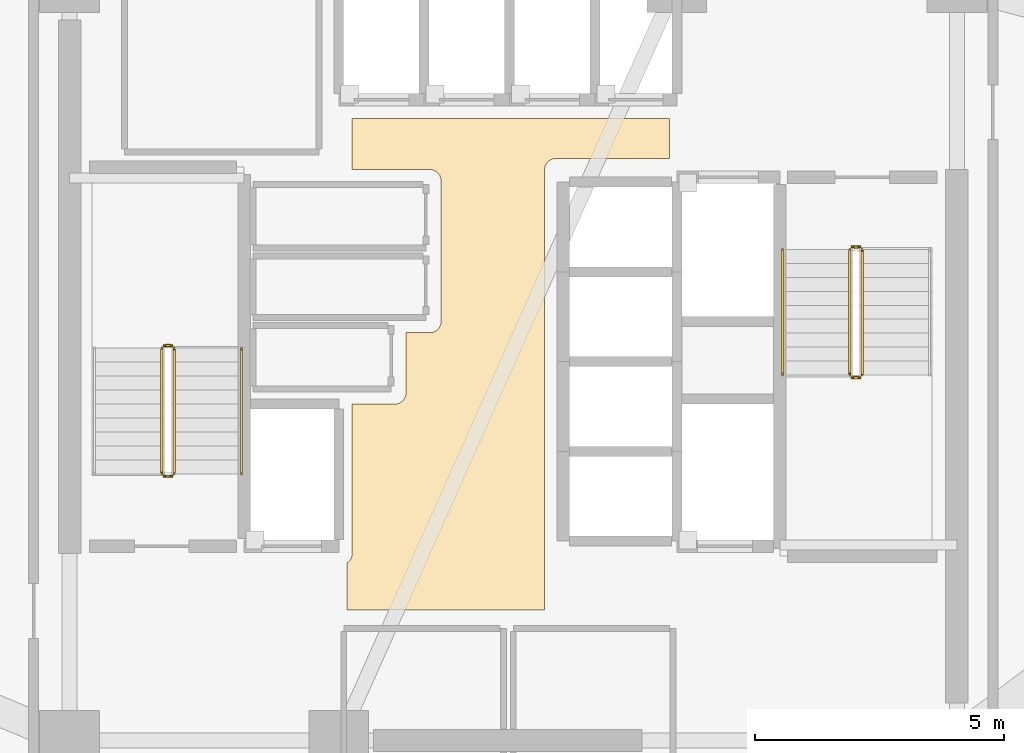
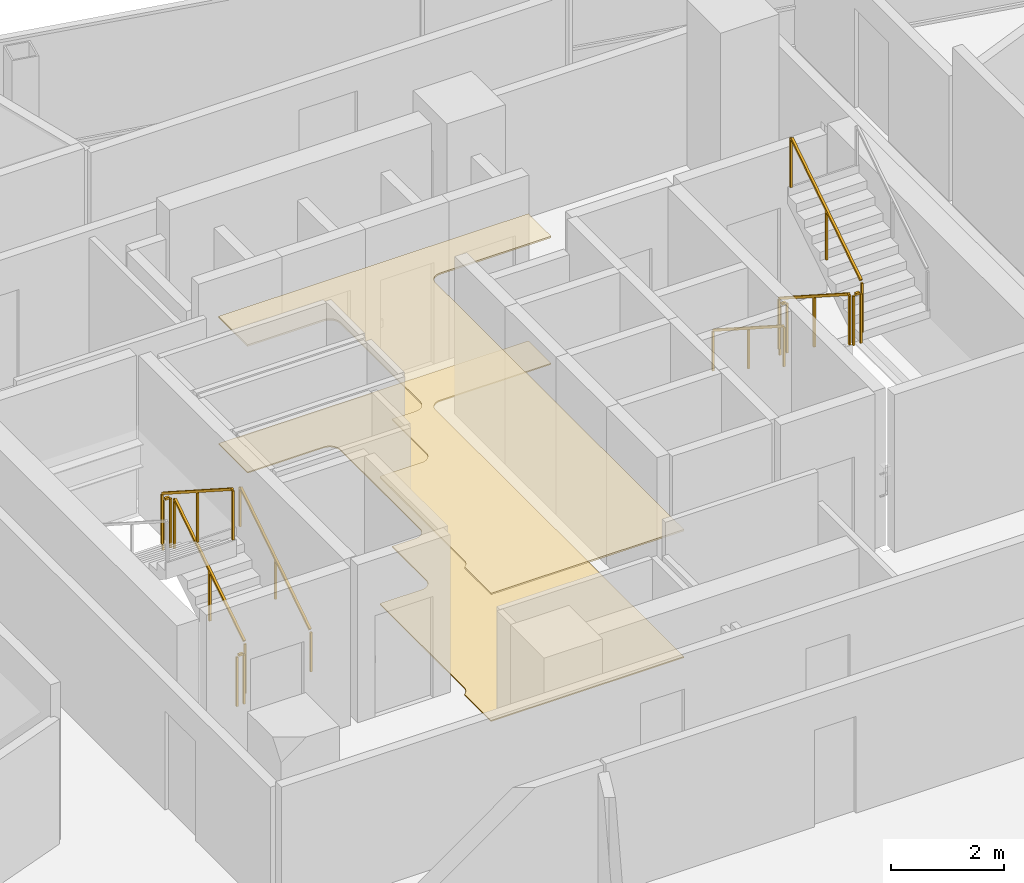
# One storey, part 16 of 17: 10 railings, 2 coverings.
"""IFC4 building model written with IfcOpenShell, lengths in metres."""

from ifc_helpers import new_model, si_unit, direction, frame, origin, origin_2d, place, context, subcontext, project, spatial, polyline, rectangle, outline, extrude, material, layer, layer_set, type_object, element, save


model = new_model("IFC4")

# Units and contexts
model_context = context("Model", 3, precision=1e-05, world=origin(), true_north=direction((0.0, 1.0)))
body_context = subcontext(model_context, "Body", "Model", "MODEL_VIEW")
ifc_project = project(units=[si_unit("LENGTHUNIT", "METRE"), si_unit("AREAUNIT", "SQUARE_METRE"), si_unit("VOLUMEUNIT", "CUBIC_METRE"), si_unit("PLANEANGLEUNIT", "RADIAN"), si_unit("MASSUNIT", "GRAM", prefix="KILO")], contexts=[model_context])

# Site, building, storey
site_placement = place(None, origin())
site = spatial("IfcSite", under=ifc_project, at=site_placement, CompositionType="ELEMENT")
building_placement = place(site_placement, origin())
building = spatial("IfcBuilding", under=site, at=building_placement, Name="Tharavind Bronze Gate", CompositionType="ELEMENT")
storey_placement = place(building_placement, frame((0.0, 0.0, 196.85009765625)))
storey = spatial("IfcBuildingStorey", under=building, at=storey_placement, Name="L50", CompositionType="ELEMENT", Elevation=196.85009765625)

# Coverings
ifc_material_1 = material(Name="Perforated Bronze Acoustic Panel", Category="bronze")
ifc_layer_1 = layer(ifc_material_1, 0.044921875)
ifc_layer_set_1 = layer_set([ifc_layer_1], Name="Perforated Bronze Acoustic Panel")
covering_type_1 = type_object("IfcCoveringType", Name="ACOUSTIC BRONZE BAFFLE CEILING", PredefinedType="CEILING", material=ifc_layer_set_1)
covering_1_placement = place(storey_placement, frame((0.0, 0.0, 2.75)))
element("IfcCovering", 1, at=covering_1_placement, inside=storey, type_object=covering_type_1, Name="L50-C-LL suspended ceiling", PredefinedType="CEILING", context=body_context, shape_type="SweptSolid", body=[
    extrude(outline(polyline([(-3.330078125, -4.97998046875), (0.6298828125, -4.97998046875), (0.6298828125, 3.85009765625), (0.631103515625, 3.87158203125), (0.63427734375, 3.892822265625), (0.639404296875, 3.913818359375), (0.646728515625, 3.93408203125), (0.656005859375, 3.95361328125), (0.6669921875, 3.97216796875), (0.679931640625, 3.989501953125), (0.6943359375, 4.005615234375), (0.71044921875, 4.02001953125), (0.727783203125, 4.032958984375), (0.746337890625, 4.0439453125), (0.765869140625, 4.05322265625), (0.7861328125, 4.060546875), (0.80712890625, 4.06591796875), (0.828369140625, 4.06884765625), (0.85009765625, 4.070068359375), (3.1298828125, 4.070068359375), (3.1298828125, 4.8798828125), (-3.22998046875, 4.8798828125), (-3.22998046875, 3.85009765625), (-1.669921875, 3.85009765625), (-1.6484375, 3.848876953125), (-1.627197265625, 3.845703125), (-1.606201171875, 3.840576171875), (-1.585693359375, 3.833251953125), (-1.56640625, 3.823974609375), (-1.5478515625, 3.81298828125), (-1.530517578125, 3.800048828125), (-1.514404296875, 3.78564453125), (-1.5, 3.76953125), (-1.487060546875, 3.752197265625), (-1.47607421875, 3.733642578125), (-1.466796875, 3.714111328125), (-1.45947265625, 3.69384765625), (-1.4541015625, 3.6728515625), (-1.451171875, 3.651611328125), (-1.449951171875, 3.6298828125), (-1.449951171875, 0.800048828125), (-1.451171875, 0.7783203125), (-1.4541015625, 0.757080078125), (-1.45947265625, 0.736083984375), (-1.466796875, 0.7158203125), (-1.47607421875, 0.6962890625), (-1.487060546875, 0.677734375), (-1.5, 0.660400390625), (-1.514404296875, 0.644287109375), (-1.530517578125, 0.6298828125), (-1.5478515625, 0.6171875), (-1.56640625, 0.60595703125), (-1.585693359375, 0.5966796875), (-1.606201171875, 0.589599609375), (-1.627197265625, 0.584228515625), (-1.6484375, 0.5810546875), (-1.669921875, 0.580078125), (-2.14990234375, 0.580078125), (-2.14990234375, -0.6298828125), (-2.151123046875, -0.651611328125), (-2.154296875, -0.6728515625), (-2.159423828125, -0.69384765625), (-2.166748046875, -0.714111328125), (-2.176025390625, -0.733642578125), (-2.18701171875, -0.752197265625), (-2.199951171875, -0.76953125), (-2.21435546875, -0.78564453125), (-2.23046875, -0.800048828125), (-2.247802734375, -0.81298828125), (-2.266357421875, -0.823974609375), (-2.285888671875, -0.833251953125), (-2.30615234375, -0.840576171875), (-2.3271484375, -0.845703125), (-2.348388671875, -0.848876953125), (-2.3701171875, -0.85009765625), (-3.22998046875, -0.85009765625), (-3.22998046875, -3.85009765625), (-3.231201171875, -3.87158203125), (-3.234130859375, -3.892822265625), (-3.239501953125, -3.913818359375), (-3.24658203125, -3.93408203125), (-3.256103515625, -3.95361328125), (-3.26708984375, -3.97216796875), (-3.27978515625, -3.989501953125), (-3.29443359375, -4.005615234375), (-3.310302734375, -4.02001953125), (-3.327880859375, -4.032958984375), (-3.330078125, -4.0341796875), (-3.330078125, -4.97998046875)])), origin(), (0.0, 0.0, 1.0), 0.034912109375),
])
ifc_material_2 = material(Name="Honed Travertine Limestone", Category="masonry")
ifc_layer_2 = layer(ifc_material_2, 0.030029296875)
ifc_layer_set_2 = layer_set([ifc_layer_2], Name="Honed Travertine Limestone")
covering_type_2 = type_object("IfcCoveringType", Name="HONED LIMESTONE FLOORING", PredefinedType="FLOORING", material=ifc_layer_set_2)
covering_2_placement = place(storey_placement, origin())
element("IfcCovering", 2, at=covering_2_placement, inside=storey, type_object=covering_type_2, Name="L50-C-LL floor finish", PredefinedType="FLOORING", context=body_context, shape_type="SweptSolid", body=[
    extrude(outline(polyline([(-3.330078125, -4.97998046875), (0.6298828125, -4.97998046875), (0.6298828125, 3.85009765625), (0.631103515625, 3.87158203125), (0.63427734375, 3.892822265625), (0.639404296875, 3.913818359375), (0.646728515625, 3.93408203125), (0.656005859375, 3.95361328125), (0.6669921875, 3.97216796875), (0.679931640625, 3.989501953125), (0.6943359375, 4.005615234375), (0.71044921875, 4.02001953125), (0.727783203125, 4.032958984375), (0.746337890625, 4.0439453125), (0.765869140625, 4.05322265625), (0.7861328125, 4.060546875), (0.80712890625, 4.06591796875), (0.828369140625, 4.06884765625), (0.85009765625, 4.070068359375), (3.1298828125, 4.070068359375), (3.1298828125, 4.8798828125), (-3.22998046875, 4.8798828125), (-3.22998046875, 3.85009765625), (-1.669921875, 3.85009765625), (-1.6484375, 3.848876953125), (-1.627197265625, 3.845703125), (-1.606201171875, 3.840576171875), (-1.585693359375, 3.833251953125), (-1.56640625, 3.823974609375), (-1.5478515625, 3.81298828125), (-1.530517578125, 3.800048828125), (-1.514404296875, 3.78564453125), (-1.5, 3.76953125), (-1.487060546875, 3.752197265625), (-1.47607421875, 3.733642578125), (-1.466796875, 3.714111328125), (-1.45947265625, 3.69384765625), (-1.4541015625, 3.6728515625), (-1.451171875, 3.651611328125), (-1.449951171875, 3.6298828125), (-1.449951171875, 0.800048828125), (-1.451171875, 0.7783203125), (-1.4541015625, 0.757080078125), (-1.45947265625, 0.736083984375), (-1.466796875, 0.7158203125), (-1.47607421875, 0.6962890625), (-1.487060546875, 0.677734375), (-1.5, 0.660400390625), (-1.514404296875, 0.644287109375), (-1.530517578125, 0.6298828125), (-1.5478515625, 0.6171875), (-1.56640625, 0.60595703125), (-1.585693359375, 0.5966796875), (-1.606201171875, 0.589599609375), (-1.627197265625, 0.584228515625), (-1.6484375, 0.5810546875), (-1.669921875, 0.580078125), (-2.14990234375, 0.580078125), (-2.14990234375, -0.6298828125), (-2.151123046875, -0.651611328125), (-2.154296875, -0.6728515625), (-2.159423828125, -0.69384765625), (-2.166748046875, -0.714111328125), (-2.176025390625, -0.733642578125), (-2.18701171875, -0.752197265625), (-2.199951171875, -0.76953125), (-2.21435546875, -0.78564453125), (-2.23046875, -0.800048828125), (-2.247802734375, -0.81298828125), (-2.266357421875, -0.823974609375), (-2.285888671875, -0.833251953125), (-2.30615234375, -0.840576171875), (-2.3271484375, -0.845703125), (-2.348388671875, -0.848876953125), (-2.3701171875, -0.85009765625), (-3.22998046875, -0.85009765625), (-3.22998046875, -3.85009765625), (-3.231201171875, -3.87158203125), (-3.234130859375, -3.892822265625), (-3.239501953125, -3.913818359375), (-3.24658203125, -3.93408203125), (-3.256103515625, -3.95361328125), (-3.26708984375, -3.97216796875), (-3.27978515625, -3.989501953125), (-3.29443359375, -4.005615234375), (-3.310302734375, -4.02001953125), (-3.327880859375, -4.032958984375), (-3.330078125, -4.0341796875), (-3.330078125, -4.97998046875)])), origin(), (0.0, 0.0, 1.0), 0.02490234375),
])

# Railings
ifc_material_3 = material(Name="Brushed Bronze Alloy", Category="metal")
railing_type_1 = type_object("IfcRailingType", Name="STAIR BRONZE HANDRAIL 900", PredefinedType="HANDRAIL", material=ifc_material_3)
railing_1_placement = place(storey_placement, frame((-5.449951171875, -2.25, 0.179931640625)))
element("IfcRailing", 3, at=railing_1_placement, inside=storey, type_object=railing_type_1, Name="L50 ST1 stair handrail 1", PredefinedType="HANDRAIL", context=body_context, shape_type="SweptSolid", body=[
    extrude(rectangle(XDim=0.048095703125, YDim=0.048095703125, at=origin_2d()), frame((0.0, 0.02685546875, 0.89306640625), z_axis=(0.0, 0.841199657755, 0.540724639528), x_axis=(-1.0, 0.0, 0.0)), (0.0, 0.0, 1.0), 2.931640625),
    extrude(rectangle(XDim=0.0400390625, YDim=0.0400390625, at=origin_2d()), origin(), (0.0, 0.0, 1.0), 0.847900390625),
    extrude(rectangle(XDim=0.0400390625, YDim=0.0400390625, at=origin_2d()), frame((0.0, 1.260009765625, 0.81005859375)), (0.0, 0.0, 1.0), 0.847900390625),
    extrude(rectangle(XDim=0.0400390625, YDim=0.0400390625, at=origin_2d()), frame((0.0, 2.52001953125, 1.619873046875)), (0.0, 0.0, 1.0), 0.847900390625),
])
railing_2_placement = place(storey_placement, frame((5.39990234375, 2.25, 0.179931640625)))
element("IfcRailing", 4, at=railing_2_placement, inside=storey, type_object=railing_type_1, Name="L50 ST2 stair handrail 1", PredefinedType="HANDRAIL", context=body_context, shape_type="SweptSolid", body=[
    extrude(rectangle(XDim=0.048095703125, YDim=0.048095703125, at=origin_2d()), frame((0.0, -0.02685546875, 0.89306640625), z_axis=(0.0, -0.841199657755, 0.540724639528), x_axis=(1.0, 0.0, 0.0)), (0.0, 0.0, 1.0), 2.931640625),
    extrude(rectangle(XDim=0.0400390625, YDim=0.0400390625, at=origin_2d()), origin(), (0.0, 0.0, 1.0), 0.847900390625),
    extrude(rectangle(XDim=0.0400390625, YDim=0.0400390625, at=origin_2d()), frame((0.0, -1.260009765625, 0.81005859375)), (0.0, 0.0, 1.0), 0.847900390625),
    extrude(rectangle(XDim=0.0400390625, YDim=0.0400390625, at=origin_2d()), frame((0.0, -2.52001953125, 1.619873046875)), (0.0, 0.0, 1.0), 0.847900390625),
])
railing_type_2 = type_object("IfcRailingType", Name="STAIR WELL GUARD RAILING 1120", PredefinedType="GUARDRAIL", material=ifc_material_3)
railing_3_placement = place(storey_placement, frame((-6.800048828125, -2.25, 0.179931640625)))
element("IfcRailing", 5, at=railing_3_placement, inside=storey, type_object=railing_type_2, Name="L50 ST1 stair guard 1", PredefinedType="GUARDRAIL", context=body_context, shape_type="SweptSolid", body=[
    extrude(rectangle(XDim=0.048095703125, YDim=0.048095703125, at=origin_2d()), frame((0.0, 0.02685546875, 1.11328125), z_axis=(0.0, 0.841199657755, 0.540724639528), x_axis=(-1.0, 0.0, 0.0)), (0.0, 0.0, 1.0), 2.931640625),
    extrude(rectangle(XDim=0.0400390625, YDim=0.0400390625, at=origin_2d()), origin(), (0.0, 0.0, 1.0), 1.068115234375),
    extrude(rectangle(XDim=0.0400390625, YDim=0.0400390625, at=origin_2d()), frame((0.0, 1.260009765625, 0.81005859375)), (0.0, 0.0, 1.0), 1.068115234375),
    extrude(rectangle(XDim=0.0400390625, YDim=0.0400390625, at=origin_2d()), frame((0.0, 2.52001953125, 1.619873046875)), (0.0, 0.0, 1.0), 1.068115234375),
])
railing_4_placement = place(storey_placement, frame((-6.85009765625, 0.320068359375, 1.7998046875)))
element("IfcRailing", 6, at=railing_4_placement, inside=storey, type_object=railing_type_2, Name="L50 ST1 stair guard 2", PredefinedType="GUARDRAIL", context=body_context, shape_type="SweptSolid", body=[
    extrude(rectangle(XDim=0.048095703125, YDim=0.048095703125, at=origin_2d()), frame((-0.031982421875, 0.0, 1.09619140625), z_axis=(-1.0, 0.0, 0.0), x_axis=(0.0, -1.0, 0.0)), (0.0, 0.0, 1.0), 0.0859375),
    extrude(rectangle(XDim=0.0400390625, YDim=0.0400390625, at=origin_2d()), origin(), (0.0, 0.0, 1.0), 1.068115234375),
    extrude(rectangle(XDim=0.0400390625, YDim=0.0400390625, at=origin_2d()), frame((-0.14990234375, 0.0, 0.0)), (0.0, 0.0, 1.0), 1.068115234375),
])
railing_5_placement = place(storey_placement, frame((-7.050048828125, 0.27001953125, 1.97998046875)))
element("IfcRailing", 7, at=railing_5_placement, inside=storey, type_object=railing_type_2, Name="L50 ST1 stair guard 3", PredefinedType="GUARDRAIL", context=body_context, shape_type="SweptSolid", body=[
    extrude(rectangle(XDim=0.048095703125, YDim=0.048095703125, at=origin_2d()), frame((0.0, -0.02685546875, 1.11328125), z_axis=(0.0, -0.841199657755, 0.540724639528), x_axis=(1.0, 0.0, 0.0)), (0.0, 0.0, 1.0), 2.931640625),
    extrude(rectangle(XDim=0.0400390625, YDim=0.0400390625, at=origin_2d()), origin(), (0.0, 0.0, 1.0), 1.068115234375),
    extrude(rectangle(XDim=0.0400390625, YDim=0.0400390625, at=origin_2d()), frame((0.0, -1.260009765625, 0.81005859375)), (0.0, 0.0, 1.0), 1.068115234375),
    extrude(rectangle(XDim=0.0400390625, YDim=0.0400390625, at=origin_2d()), frame((0.0, -2.52001953125, 1.619873046875)), (0.0, 0.0, 1.0), 1.068115234375),
])
railing_6_placement = place(storey_placement, frame((-6.85009765625, -2.300048828125, 0.0)))
element("IfcRailing", 8, at=railing_6_placement, inside=storey, type_object=railing_type_2, Name="L50 ST1 stair guard 4", PredefinedType="GUARDRAIL", context=body_context, shape_type="SweptSolid", body=[
    extrude(rectangle(XDim=0.048095703125, YDim=0.048095703125, at=origin_2d()), frame((-0.031982421875, 0.0, 1.09619140625), z_axis=(-1.0, 0.0, 0.0), x_axis=(0.0, -1.0, 0.0)), (0.0, 0.0, 1.0), 0.0859375),
    extrude(rectangle(XDim=0.0400390625, YDim=0.0400390625, at=origin_2d()), origin(), (0.0, 0.0, 1.0), 1.068115234375),
    extrude(rectangle(XDim=0.0400390625, YDim=0.0400390625, at=origin_2d()), frame((-0.14990234375, 0.0, 0.0)), (0.0, 0.0, 1.0), 1.068115234375),
])
railing_7_placement = place(storey_placement, frame((6.75, 2.25, 0.179931640625)))
element("IfcRailing", 9, at=railing_7_placement, inside=storey, type_object=railing_type_2, Name="L50 ST2 stair guard 1", PredefinedType="GUARDRAIL", context=body_context, shape_type="SweptSolid", body=[
    extrude(rectangle(XDim=0.048095703125, YDim=0.048095703125, at=origin_2d()), frame((0.0, -0.02685546875, 1.11328125), z_axis=(0.0, -0.841199657755, 0.540724639528), x_axis=(1.0, 0.0, 0.0)), (0.0, 0.0, 1.0), 2.931640625),
    extrude(rectangle(XDim=0.0400390625, YDim=0.0400390625, at=origin_2d()), origin(), (0.0, 0.0, 1.0), 1.068115234375),
    extrude(rectangle(XDim=0.0400390625, YDim=0.0400390625, at=origin_2d()), frame((0.0, -1.260009765625, 0.81005859375)), (0.0, 0.0, 1.0), 1.068115234375),
    extrude(rectangle(XDim=0.0400390625, YDim=0.0400390625, at=origin_2d()), frame((0.0, -2.52001953125, 1.619873046875)), (0.0, 0.0, 1.0), 1.068115234375),
])
railing_8_placement = place(storey_placement, frame((6.800048828125, -0.320068359375, 1.7998046875)))
element("IfcRailing", 10, at=railing_8_placement, inside=storey, type_object=railing_type_2, Name="L50 ST2 stair guard 2", PredefinedType="GUARDRAIL", context=body_context, shape_type="SweptSolid", body=[
    extrude(rectangle(XDim=0.048095703125, YDim=0.048095703125, at=origin_2d()), frame((0.031982421875, 0.0, 1.09619140625), z_axis=(1.0, 0.0, 0.0), x_axis=(0.0, 1.0, 0.0)), (0.0, 0.0, 1.0), 0.0859375),
    extrude(rectangle(XDim=0.0400390625, YDim=0.0400390625, at=origin_2d()), origin(), (0.0, 0.0, 1.0), 1.068115234375),
    extrude(rectangle(XDim=0.0400390625, YDim=0.0400390625, at=origin_2d()), frame((0.14990234375, 0.0, 0.0)), (0.0, 0.0, 1.0), 1.068115234375),
])
railing_9_placement = place(storey_placement, frame((7.0, -0.27001953125, 1.97998046875)))
element("IfcRailing", 11, at=railing_9_placement, inside=storey, type_object=railing_type_2, Name="L50 ST2 stair guard 3", PredefinedType="GUARDRAIL", context=body_context, shape_type="SweptSolid", body=[
    extrude(rectangle(XDim=0.048095703125, YDim=0.048095703125, at=origin_2d()), frame((0.0, 0.02685546875, 1.11328125), z_axis=(0.0, 0.841199657755, 0.540724639528), x_axis=(-1.0, 0.0, 0.0)), (0.0, 0.0, 1.0), 2.931640625),
    extrude(rectangle(XDim=0.0400390625, YDim=0.0400390625, at=origin_2d()), origin(), (0.0, 0.0, 1.0), 1.068115234375),
    extrude(rectangle(XDim=0.0400390625, YDim=0.0400390625, at=origin_2d()), frame((0.0, 1.260009765625, 0.81005859375)), (0.0, 0.0, 1.0), 1.068115234375),
    extrude(rectangle(XDim=0.0400390625, YDim=0.0400390625, at=origin_2d()), frame((0.0, 2.52001953125, 1.619873046875)), (0.0, 0.0, 1.0), 1.068115234375),
])
railing_10_placement = place(storey_placement, frame((6.800048828125, 2.300048828125, 0.0)))
element("IfcRailing", 12, at=railing_10_placement, inside=storey, type_object=railing_type_2, Name="L50 ST2 stair guard 4", PredefinedType="GUARDRAIL", context=body_context, shape_type="SweptSolid", body=[
    extrude(rectangle(XDim=0.048095703125, YDim=0.048095703125, at=origin_2d()), frame((0.031982421875, 0.0, 1.09619140625), z_axis=(1.0, 0.0, 0.0), x_axis=(0.0, 1.0, 0.0)), (0.0, 0.0, 1.0), 0.0859375),
    extrude(rectangle(XDim=0.0400390625, YDim=0.0400390625, at=origin_2d()), origin(), (0.0, 0.0, 1.0), 1.068115234375),
    extrude(rectangle(XDim=0.0400390625, YDim=0.0400390625, at=origin_2d()), frame((0.14990234375, 0.0, 0.0)), (0.0, 0.0, 1.0), 1.068115234375),
])

save(model, "model.ifc")
